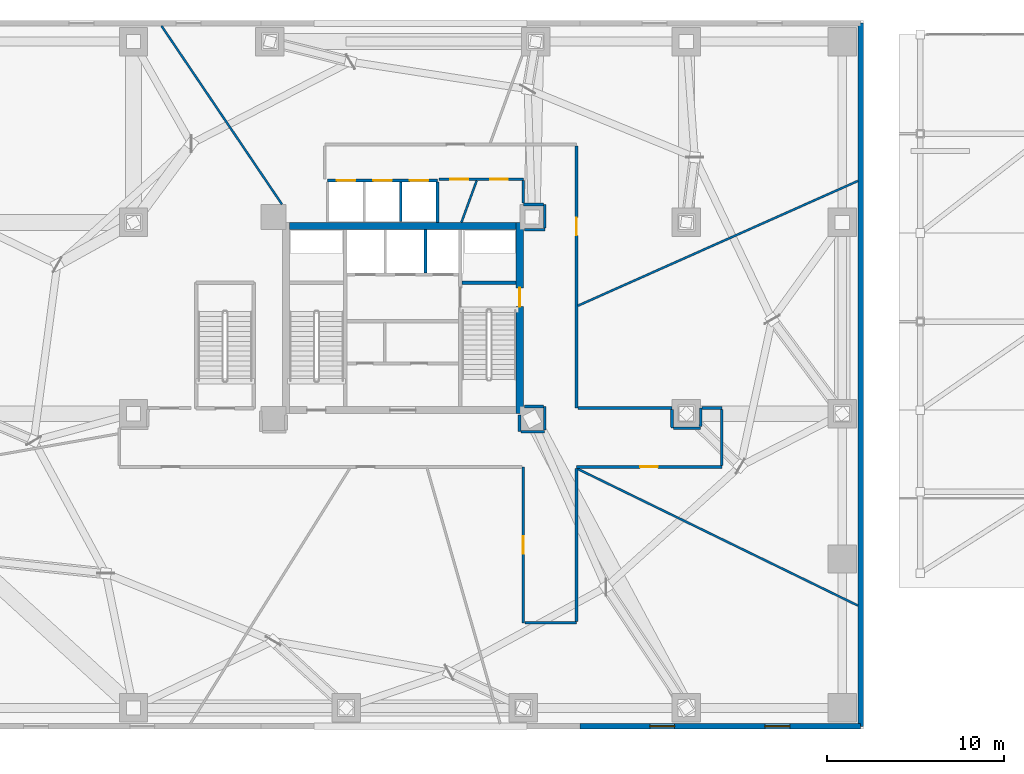
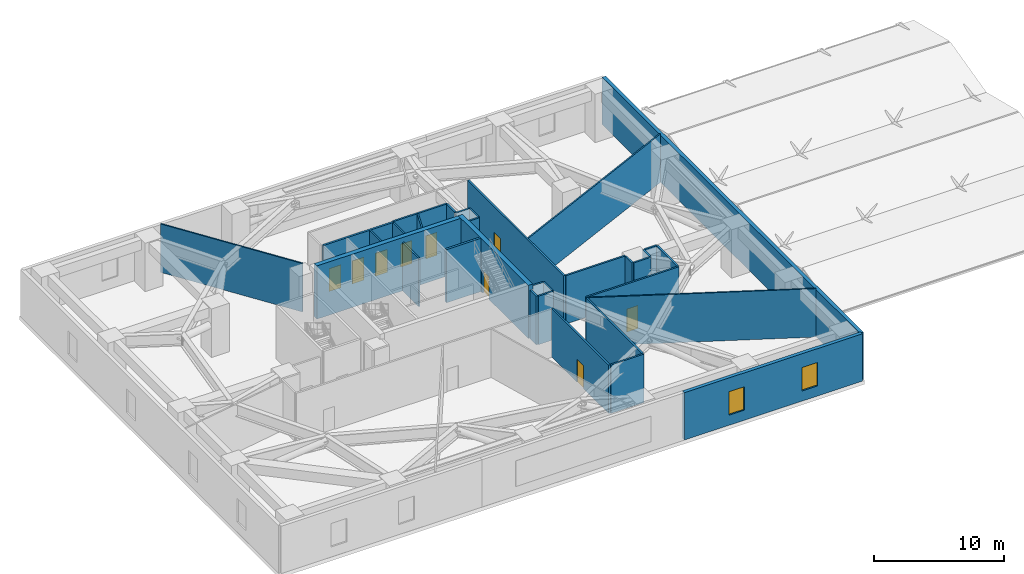
# One storey, part 10 of 13: 33 walls, 9 doors, 2 windows, 11 openings.
"""IFC4 building model written with IfcOpenShell, lengths in metres."""

from ifc_helpers import new_model, si_unit, direction, frame, frame_2d, origin, place, context, subcontext, project, spatial, rectangle, extrude, source, transform, mapped, material, layer, layer_set, type_object, type_shapes, element, fill, save


model = new_model("IFC4")

# Units and contexts
model_context = context("Model", 3, precision=1e-05, world=origin(), true_north=direction((0.0, 1.0)))
body_context = subcontext(model_context, "Body", "Model", "MODEL_VIEW")
ifc_project = project(units=[si_unit("LENGTHUNIT", "METRE"), si_unit("AREAUNIT", "SQUARE_METRE"), si_unit("VOLUMEUNIT", "CUBIC_METRE"), si_unit("PLANEANGLEUNIT", "RADIAN"), si_unit("MASSUNIT", "GRAM", prefix="KILO")], contexts=[model_context])

# Site, building, storey
site_placement = place(None, origin())
site = spatial("IfcSite", under=ifc_project, at=site_placement, CompositionType="ELEMENT")
building_placement = place(site_placement, origin())
building = spatial("IfcBuilding", under=site, at=building_placement, Name="Talar Marvaseh", CompositionType="ELEMENT")
storey_placement = place(building_placement, frame((0.0, 0.0, 19.0)))
storey = spatial("IfcBuildingStorey", under=building, at=storey_placement, Name="L04", CompositionType="ELEMENT", Elevation=19.0)

# Wall, openings, windows
ifc_material_1 = material(Name="Precast concrete C45/55", Category="concrete")
ifc_layer_1 = layer(ifc_material_1, 0.31005859375)
ifc_layer_set_1 = layer_set([ifc_layer_1], Name="Precast concrete C45/55")
wall_type_1 = type_object("IfcWallType", Name="Architectural Precast Limestone Podium Facade Wall 310", PredefinedType="SOLIDWALL", material=ifc_layer_set_1)
wall_1_placement = place(storey_placement, frame((51.840087890625, 8.159912109375, 0.0), z_axis=(0.0, 0.0, 1.0), x_axis=(-1.0, 0.0, 0.0)))
wall_1 = element("IfcWall", 1, at=wall_1_placement, inside=storey, type_object=wall_type_1, Name="L04 Podium South-East Facade Wall", PredefinedType="SOLIDWALL", context=body_context, shape_type="SweptSolid", body=[
    extrude(rectangle(XDim=15.840087890625, YDim=0.31005859375, at=frame_2d((7.919921875, 0.0))), origin(), (0.0, 0.0, 1.0), 4.449951171875),
])
opening_1_placement = place(wall_1_placement, frame((4.0, 0.0, 0.949951171875)))
opening_1 = element("IfcOpeningElement", 2, at=opening_1_placement, cuts=wall_1, Name="Opening WN-POD14", PredefinedType="OPENING", context=body_context, shape_type="SweptSolid", body=[
    extrude(rectangle(XDim=1.39990234375, YDim=2.199951171875, at=frame_2d((0.699951171875, 1.10009765625))), frame((0.0, 0.1650390625, 0.0), z_axis=(0.0, -1.0, 0.0), x_axis=(1.0, 0.0, 0.0)), (0.0, 0.0, 1.0), 0.330078125),
])
opening_2_placement = place(wall_1_placement, frame((10.5, 0.0, 0.949951171875)))
opening_2 = element("IfcOpeningElement", 3, at=opening_2_placement, cuts=wall_1, Name="Opening WN-POD14", PredefinedType="OPENING", context=body_context, shape_type="SweptSolid", body=[
    extrude(rectangle(XDim=1.39990234375, YDim=2.199951171875, at=frame_2d((0.699951171875, 1.10009765625))), frame((0.0, 0.1650390625, 0.0), z_axis=(0.0, -1.0, 0.0), x_axis=(1.0, 0.0, 0.0)), (0.0, 0.0, 1.0), 0.330078125),
])
ifc_material_2 = material(Name="Laminated Low-E Solar Glass", Category="glass")
window_type = type_object("IfcWindowType", Name="Podium Mezzanine Solar Window 1400x2200", PartitioningType="SINGLE_PANEL", PredefinedType="WINDOW", material=ifc_material_2)
shared_shape_1 = source(origin(), body_context, "Body", "SweptSolid", [
    extrude(rectangle(XDim=1.39990234375, YDim=2.199951171875, at=frame_2d((0.699951171875, 1.10009765625))), frame((0.0, 0.030029296875, 0.0), z_axis=(0.0, -1.0, 0.0), x_axis=(1.0, 0.0, 0.0)), (0.0, 0.0, 1.0), 0.06005859375),
])
type_shapes(window_type, [shared_shape_1])
window_1_placement = place(opening_1_placement, origin())
window_1 = element("IfcWindow", 4, at=window_1_placement, inside=storey, type_object=window_type, Name="L04 Podium Solar Window", OverallHeight=2.199951171875, OverallWidth=1.39990234375, PartitioningType="SINGLE_PANEL", PredefinedType="WINDOW", context=body_context, shape_type="MappedRepresentation", body=[
    mapped(shared_shape_1, transform((0.0, 0.0, 0.0), x_axis=(1.0, 0.0, 0.0), y_axis=(0.0, 1.0, 0.0), z_axis=(0.0, 0.0, 1.0), scale=1.0)),
])
fill(opening_1, window_1)
window_2_placement = place(opening_2_placement, origin())
window_2 = element("IfcWindow", 5, at=window_2_placement, inside=storey, type_object=window_type, Name="L04 Podium Solar Window", OverallHeight=2.199951171875, OverallWidth=1.39990234375, PartitioningType="SINGLE_PANEL", PredefinedType="WINDOW", context=body_context, shape_type="MappedRepresentation", body=[
    mapped(shared_shape_1, transform((0.0, 0.0, 0.0), x_axis=(1.0, 0.0, 0.0), y_axis=(0.0, 1.0, 0.0), z_axis=(0.0, 0.0, 1.0), scale=1.0)),
])
fill(opening_2, window_2)

# Wall
wall_2_placement = place(storey_placement, frame((51.840087890625, 47.840087890625, 0.0), z_axis=(0.0, 0.0, 1.0), x_axis=(0.0, -1.0, 0.0)))
element("IfcWall", 6, at=wall_2_placement, inside=storey, type_object=wall_type_1, Name="L04 Podium East Facade Wall", PredefinedType="SOLIDWALL", context=body_context, shape_type="SweptSolid", body=[
    extrude(rectangle(XDim=39.68017578125, YDim=0.31005859375, at=frame_2d((19.840087890625, 0.0))), origin(), (0.0, 0.0, 1.0), 4.449951171875),
])

# Wall, opening, door
ifc_material_3 = material(Name="Gypsum Board Partition Assembly")
ifc_layer_2 = layer(ifc_material_3, 0.155029296875)
ifc_layer_set_2 = layer_set([ifc_layer_2], Name="Gypsum Board Partition Assembly")
wall_type_2 = type_object("IfcWallType", Name="Corridor Fire-Rated Acoustic Partition 155", PredefinedType="PARTITIONING", material=ifc_layer_set_2)
wall_3_placement = place(storey_placement, frame((32.800048828125, 14.0, 0.0), z_axis=(0.0, 0.0, 1.0), x_axis=(0.0, 1.0, 0.0)))
wall_3 = element("IfcWall", 7, at=wall_3_placement, inside=storey, type_object=wall_type_2, Name="L04 Interior Partition Wall", PredefinedType="PARTITIONING", context=body_context, shape_type="SweptSolid", body=[
    extrude(rectangle(XDim=8.800048828125, YDim=0.155029296875, at=frame_2d((4.39990234375, 0.0))), origin(), (0.0, 0.0, 1.0), 4.550048828125),
])
opening_3_placement = place(wall_3_placement, frame((3.89990234375, 0.0, 0.0)))
opening_3 = element("IfcOpeningElement", 8, at=opening_3_placement, cuts=wall_3, Name="Opening DR-RM100", PredefinedType="OPENING", context=body_context, shape_type="SweptSolid", body=[
    extrude(rectangle(XDim=1.0, YDim=2.14990234375, at=frame_2d((0.5, 1.074951171875))), frame((0.0, 0.08740234375, 0.0), z_axis=(0.0, -1.0, 0.0), x_axis=(1.0, 0.0, 0.0)), (0.0, 0.0, 1.0), 0.175048828125),
])
ifc_material_4 = material(Name="Acoustic Engineered Oak Timber", Category="wood")
door_type_1 = type_object("IfcDoorType", Name="Corridor Fire-Rated Gallery Door 1000x2150", OperationType="NOTDEFINED", PredefinedType="DOOR", material=ifc_material_4)
shared_shape_2 = source(origin(), body_context, "Body", "SweptSolid", [
    extrude(rectangle(XDim=1.0, YDim=2.14990234375, at=frame_2d((0.5, 1.074951171875))), frame((0.0, 0.02490234375, 0.0), z_axis=(0.0, -1.0, 0.0), x_axis=(1.0, 0.0, 0.0)), (0.0, 0.0, 1.0), 0.050048828125),
])
type_shapes(door_type_1, [shared_shape_2])
door_1_placement = place(opening_3_placement, origin())
door_1 = element("IfcDoor", 9, at=door_1_placement, inside=storey, type_object=door_type_1, Name="L04 Podium Chiller Booster Plant Room Door", OperationType="SINGLE_SWING_LEFT", OverallHeight=2.14990234375, OverallWidth=1.0, PredefinedType="DOOR", context=body_context, shape_type="MappedRepresentation", body=[
    mapped(shared_shape_2, transform((0.0, 0.0, 0.0), x_axis=(1.0, 0.0, 0.0), y_axis=(0.0, 1.0, 0.0), z_axis=(0.0, 0.0, 1.0), scale=1.0)),
])
fill(opening_3, door_1)

# Wall, openings, doors
wall_4_placement = place(storey_placement, frame((32.800048828125, 39.0400390625, 0.0), z_axis=(0.0, 0.0, 1.0), x_axis=(-1.0, 0.0, 0.0)))
wall_4 = element("IfcWall", 10, at=wall_4_placement, inside=storey, type_object=wall_type_2, Name="L04 Interior Partition Wall", PredefinedType="PARTITIONING", context=body_context, shape_type="SweptSolid", body=[
    extrude(rectangle(XDim=4.77001953125, YDim=0.155029296875, at=frame_2d((2.385009765625, 0.0))), origin(), (0.0, 0.0, 1.0), 4.550048828125),
])
opening_4_placement = place(wall_4_placement, frame((0.87451171875, 0.0, 0.0)))
opening_4 = element("IfcOpeningElement", 11, at=opening_4_placement, cuts=wall_4, Name="Opening DR-RM100", PredefinedType="OPENING", context=body_context, shape_type="SweptSolid", body=[
    extrude(rectangle(XDim=1.0, YDim=2.14990234375, at=frame_2d((0.5, 1.074951171875))), frame((0.0, 0.08740234375, 0.0), z_axis=(0.0, -1.0, 0.0), x_axis=(1.0, 0.0, 0.0)), (0.0, 0.0, 1.0), 0.175048828125),
])
opening_5_placement = place(wall_4_placement, frame((3.114990234375, 0.0, 0.0)))
opening_5 = element("IfcOpeningElement", 12, at=opening_5_placement, cuts=wall_4, Name="Opening DR-RM100", PredefinedType="OPENING", context=body_context, shape_type="SweptSolid", body=[
    extrude(rectangle(XDim=1.0, YDim=2.14990234375, at=frame_2d((0.5, 1.074951171875))), frame((0.0, 0.08740234375, 0.0), z_axis=(0.0, -1.0, 0.0), x_axis=(1.0, 0.0, 0.0)), (0.0, 0.0, 1.0), 0.175048828125),
])
door_2_placement = place(opening_4_placement, origin())
door_2 = element("IfcDoor", 13, at=door_2_placement, inside=storey, type_object=door_type_1, Name="L04 Podium Smoke Extract Fan Plant Room Door", OperationType="SINGLE_SWING_RIGHT", OverallHeight=2.14990234375, OverallWidth=1.0, PredefinedType="DOOR", context=body_context, shape_type="MappedRepresentation", body=[
    mapped(shared_shape_2, transform((0.0, 0.0, 0.0), x_axis=(1.0, 0.0, 0.0), y_axis=(0.0, 1.0, 0.0), z_axis=(0.0, 0.0, 1.0), scale=1.0)),
])
fill(opening_4, door_2)
door_3_placement = place(opening_5_placement, origin())
door_3 = element("IfcDoor", 14, at=door_3_placement, inside=storey, type_object=door_type_1, Name="L04 Podium BMS Telecoms Plant Room Door", OperationType="SINGLE_SWING_LEFT", OverallHeight=2.14990234375, OverallWidth=1.0, PredefinedType="DOOR", context=body_context, shape_type="MappedRepresentation", body=[
    mapped(shared_shape_2, transform((0.0, 0.0, 0.0), x_axis=(1.0, 0.0, 0.0), y_axis=(0.0, 1.0, 0.0), z_axis=(0.0, 0.0, 1.0), scale=1.0)),
])
fill(opening_5, door_3)

# Wall, opening, door
wall_5_placement = place(storey_placement, frame((35.800048828125, 40.91650390625, 0.0), z_axis=(0.0, 0.0, 1.0), x_axis=(0.0, -1.0, 0.0)))
wall_5 = element("IfcWall", 15, at=wall_5_placement, inside=storey, type_object=wall_type_2, Name="L04 Interior Partition Wall", PredefinedType="PARTITIONING", context=body_context, shape_type="SweptSolid", body=[
    extrude(rectangle(XDim=14.79638671875, YDim=0.155029296875, at=frame_2d((7.398193359375, 0.0))), origin(), (0.0, 0.0, 1.0), 4.550048828125),
])
opening_6_placement = place(wall_5_placement, frame((4.0546875, 0.0, 0.0)))
opening_6 = element("IfcOpeningElement", 16, at=opening_6_placement, cuts=wall_5, Name="Opening DR-RM100", PredefinedType="OPENING", context=body_context, shape_type="SweptSolid", body=[
    extrude(rectangle(XDim=1.0, YDim=2.14990234375, at=frame_2d((0.5, 1.074951171875))), frame((0.0, 0.08740234375, 0.0), z_axis=(0.0, -1.0, 0.0), x_axis=(1.0, 0.0, 0.0)), (0.0, 0.0, 1.0), 0.175048828125),
])
door_4_placement = place(opening_6_placement, origin())
door_4 = element("IfcDoor", 17, at=door_4_placement, inside=storey, type_object=door_type_1, Name="L04 Podium Area of Refuge West Door", OperationType="SINGLE_SWING_LEFT", OverallHeight=2.14990234375, OverallWidth=1.0, PredefinedType="DOOR", context=body_context, shape_type="MappedRepresentation", body=[
    mapped(shared_shape_2, transform((0.0, 0.0, 0.0), x_axis=(1.0, 0.0, 0.0), y_axis=(0.0, 1.0, 0.0), z_axis=(0.0, 0.0, 1.0), scale=1.0)),
])
fill(opening_6, door_4)

wall_6_placement = place(storey_placement, frame((44.0, 22.800048828125, 0.0), z_axis=(0.0, 0.0, 1.0), x_axis=(-1.0, 0.0, 0.0)))
wall_6 = element("IfcWall", 18, at=wall_6_placement, inside=storey, type_object=wall_type_2, Name="L04 Interior Partition Wall", PredefinedType="PARTITIONING", context=body_context, shape_type="SweptSolid", body=[
    extrude(rectangle(XDim=8.199951171875, YDim=0.155029296875, at=frame_2d((4.10009765625, 0.0))), origin(), (0.0, 0.0, 1.0), 4.550048828125),
])
opening_7_placement = place(wall_6_placement, frame((3.60009765625, 0.0, 0.0)))
opening_7 = element("IfcOpeningElement", 19, at=opening_7_placement, cuts=wall_6, Name="Opening DR-RM100", PredefinedType="OPENING", context=body_context, shape_type="SweptSolid", body=[
    extrude(rectangle(XDim=1.0, YDim=2.14990234375, at=frame_2d((0.5, 1.074951171875))), frame((0.0, 0.08740234375, 0.0), z_axis=(0.0, -1.0, 0.0), x_axis=(1.0, 0.0, 0.0)), (0.0, 0.0, 1.0), 0.175048828125),
])
door_5_placement = place(opening_7_placement, origin())
door_5 = element("IfcDoor", 20, at=door_5_placement, inside=storey, type_object=door_type_1, Name="L04 Podium HV Electrical Switchroom Door", OperationType="SINGLE_SWING_RIGHT", OverallHeight=2.14990234375, OverallWidth=1.0, PredefinedType="DOOR", context=body_context, shape_type="MappedRepresentation", body=[
    mapped(shared_shape_2, transform((0.0, 0.0, 0.0), x_axis=(1.0, 0.0, 0.0), y_axis=(0.0, 1.0, 0.0), z_axis=(0.0, 0.0, 1.0), scale=1.0)),
])
fill(opening_7, door_5)

# Walls
wall_7_placement = place(storey_placement, frame((35.800048828125, 14.0, 0.0), z_axis=(0.0, 0.0, 1.0), x_axis=(-1.0, 0.0, 0.0)))
element("IfcWall", 21, at=wall_7_placement, inside=storey, type_object=wall_type_2, Name="L04 Interior Partition Wall", PredefinedType="PARTITIONING", context=body_context, shape_type="SweptSolid", body=[
    extrude(rectangle(XDim=2.91650390625, YDim=0.155029296875, at=frame_2d((1.458251953125, 0.0))), origin(), (0.0, 0.0, 1.0), 4.550048828125),
])
wall_8_placement = place(storey_placement, frame((32.5849609375, 25.72998046875, 0.0), z_axis=(0.0, 0.0, 1.0), x_axis=(0.007253695172, -0.999973691607, 0.0)))
element("IfcWall", 22, at=wall_8_placement, inside=storey, type_object=wall_type_2, Name="L04 Interior Partition Wall", PredefinedType="PARTITIONING", context=body_context, shape_type="SweptSolid", body=[
    extrude(rectangle(XDim=0.9423828125, YDim=0.155029296875, at=frame_2d((0.47119140625, 0.0))), origin(), (0.0, 0.0, 1.0), 4.550048828125),
])
wall_9_placement = place(storey_placement, frame((32.67529296875, 24.78759765625, 0.0), z_axis=(0.0, 0.0, 1.0), x_axis=(1.0, 0.0, 0.0)))
element("IfcWall", 23, at=wall_9_placement, inside=storey, type_object=wall_type_2, Name="L04 Interior Partition Wall", PredefinedType="PARTITIONING", context=body_context, shape_type="SweptSolid", body=[
    extrude(rectangle(XDim=1.3330078125, YDim=0.155029296875, at=frame_2d((0.66650390625, 0.0))), origin(), (0.0, 0.0, 1.0), 4.550048828125),
])
wall_10_placement = place(storey_placement, frame((34.008544921875, 24.87109375, 0.0), z_axis=(0.0, 0.0, 1.0), x_axis=(0.002371390632, 0.999997188249, 0.0)))
element("IfcWall", 24, at=wall_10_placement, inside=storey, type_object=wall_type_2, Name="L04 Interior Partition Wall", PredefinedType="PARTITIONING", context=body_context, shape_type="SweptSolid", body=[
    extrude(rectangle(XDim=1.33837890625, YDim=0.155029296875, at=frame_2d((0.669189453125, 0.0))), origin(), (0.0, 0.0, 1.0), 4.550048828125),
])
wall_11_placement = place(storey_placement, frame((33.927978515625, 26.2099609375, 0.0), z_axis=(0.0, 0.0, 1.0), x_axis=(-0.999988255797, 0.004846469737, 0.0)))
element("IfcWall", 25, at=wall_11_placement, inside=storey, type_object=wall_type_2, Name="L04 Interior Partition Wall", PredefinedType="PARTITIONING", context=body_context, shape_type="SweptSolid", body=[
    extrude(rectangle(XDim=1.057861328125, YDim=0.155029296875, at=frame_2d((0.52880859375, 0.0))), origin(), (0.0, 0.0, 1.0), 4.550048828125),
])
wall_12_placement = place(storey_placement, frame((32.8701171875, 36.18505859375, 0.0), z_axis=(0.0, 0.0, 1.0), x_axis=(0.999988932255, 0.00470482389, 0.0)))
element("IfcWall", 26, at=wall_12_placement, inside=storey, type_object=wall_type_2, Name="L04 Interior Partition Wall", PredefinedType="PARTITIONING", context=body_context, shape_type="SweptSolid", body=[
    extrude(rectangle(XDim=1.1416015625, YDim=0.155029296875, at=frame_2d((0.57080078125, 0.0))), origin(), (0.0, 0.0, 1.0), 4.550048828125),
])
wall_13_placement = place(storey_placement, frame((34.01171875, 36.27392578125, 0.0), z_axis=(0.0, 0.0, 1.0), x_axis=(0.0, 1.0, 0.0)))
element("IfcWall", 27, at=wall_13_placement, inside=storey, type_object=wall_type_2, Name="L04 Interior Partition Wall", PredefinedType="PARTITIONING", context=body_context, shape_type="SweptSolid", body=[
    extrude(rectangle(XDim=1.335693359375, YDim=0.155029296875, at=frame_2d((0.66796875, 0.0))), origin(), (0.0, 0.0, 1.0), 4.550048828125),
])
wall_14_placement = place(storey_placement, frame((33.927978515625, 37.60986328125, 0.0), z_axis=(0.0, 0.0, 1.0), x_axis=(-0.999989669582, 0.004545407589, 0.0)))
element("IfcWall", 28, at=wall_14_placement, inside=storey, type_object=wall_type_2, Name="L04 Interior Partition Wall", PredefinedType="PARTITIONING", context=body_context, shape_type="SweptSolid", body=[
    extrude(rectangle(XDim=1.1279296875, YDim=0.155029296875, at=frame_2d((0.56396484375, 0.0))), origin(), (0.0, 0.0, 1.0), 4.550048828125),
])
wall_15_placement = place(storey_placement, frame((32.800048828125, 37.698486328125, 0.0), z_axis=(0.0, 0.0, 1.0), x_axis=(0.0, 1.0, 0.0)))
element("IfcWall", 29, at=wall_15_placement, inside=storey, type_object=wall_type_2, Name="L04 Interior Partition Wall", PredefinedType="PARTITIONING", context=body_context, shape_type="SweptSolid", body=[
    extrude(rectangle(XDim=1.258056640625, YDim=0.155029296875, at=frame_2d((0.62890625, 0.0))), origin(), (0.0, 0.0, 1.0), 4.550048828125),
])
wall_16_placement = place(storey_placement, frame((35.883544921875, 26.1201171875, 0.0), z_axis=(0.0, 0.0, 1.0), x_axis=(1.0, 0.0, 0.0)))
element("IfcWall", 30, at=wall_16_placement, inside=storey, type_object=wall_type_2, Name="L04 Interior Partition Wall", PredefinedType="PARTITIONING", context=body_context, shape_type="SweptSolid", body=[
    extrude(rectangle(XDim=5.301513671875, YDim=0.155029296875, at=frame_2d((2.65087890625, 0.0))), origin(), (0.0, 0.0, 1.0), 4.550048828125),
])
wall_17_placement = place(storey_placement, frame((41.18603515625, 26.03662109375, 0.0), z_axis=(0.0, 0.0, 1.0), x_axis=(0.013233110982, -0.999912438553, 0.0)))
element("IfcWall", 31, at=wall_17_placement, inside=storey, type_object=wall_type_2, Name="L04 Interior Partition Wall", PredefinedType="PARTITIONING", context=body_context, shape_type="SweptSolid", body=[
    extrude(rectangle(XDim=1.051513671875, YDim=0.155029296875, at=frame_2d((0.52587890625, 0.0))), origin(), (0.0, 0.0, 1.0), 4.550048828125),
])
wall_18_placement = place(storey_placement, frame((41.283447265625, 24.985107421875, 0.0), z_axis=(0.0, 0.0, 1.0), x_axis=(0.999999794213, 0.000641539563, 0.0)))
element("IfcWall", 32, at=wall_18_placement, inside=storey, type_object=wall_type_2, Name="L04 Interior Partition Wall", PredefinedType="PARTITIONING", context=body_context, shape_type="SweptSolid", body=[
    extrude(rectangle(XDim=1.522216796875, YDim=0.155029296875, at=frame_2d((0.76123046875, 0.0))), origin(), (0.0, 0.0, 1.0), 4.550048828125),
])
wall_19_placement = place(storey_placement, frame((42.806396484375, 25.069580078125, 0.0), z_axis=(0.0, 0.0, 1.0), x_axis=(0.008133591044, 0.999966921801, 0.0)))
element("IfcWall", 33, at=wall_19_placement, inside=storey, type_object=wall_type_2, Name="L04 Interior Partition Wall", PredefinedType="PARTITIONING", context=body_context, shape_type="SweptSolid", body=[
    extrude(rectangle(XDim=1.050537109375, YDim=0.155029296875, at=frame_2d((0.525390625, 0.0))), origin(), (0.0, 0.0, 1.0), 4.550048828125),
])
wall_20_placement = place(storey_placement, frame((42.8984375, 26.1201171875, 0.0), z_axis=(0.0, 0.0, 1.0), x_axis=(1.0, 0.0, 0.0)))
element("IfcWall", 34, at=wall_20_placement, inside=storey, type_object=wall_type_2, Name="L04 Interior Partition Wall", PredefinedType="PARTITIONING", context=body_context, shape_type="SweptSolid", body=[
    extrude(rectangle(XDim=1.1015625, YDim=0.155029296875, at=frame_2d((0.55078125, 0.0))), origin(), (0.0, 0.0, 1.0), 4.550048828125),
])
wall_21_placement = place(storey_placement, frame((44.0, 26.03662109375, 0.0), z_axis=(0.0, 0.0, 1.0), x_axis=(0.0, -1.0, 0.0)))
element("IfcWall", 35, at=wall_21_placement, inside=storey, type_object=wall_type_2, Name="L04 Interior Partition Wall", PredefinedType="PARTITIONING", context=body_context, shape_type="SweptSolid", body=[
    extrude(rectangle(XDim=3.153076171875, YDim=0.155029296875, at=frame_2d((1.57666015625, 0.0))), origin(), (0.0, 0.0, 1.0), 4.550048828125),
])
wall_22_placement = place(storey_placement, frame((35.800048828125, 22.716552734375, 0.0), z_axis=(0.0, 0.0, 1.0), x_axis=(0.0, -1.0, 0.0)))
element("IfcWall", 36, at=wall_22_placement, inside=storey, type_object=wall_type_2, Name="L04 Interior Partition Wall", PredefinedType="PARTITIONING", context=body_context, shape_type="SweptSolid", body=[
    extrude(rectangle(XDim=8.633056640625, YDim=0.155029296875, at=frame_2d((4.31640625, 0.0))), origin(), (0.0, 0.0, 1.0), 4.550048828125),
])
ifc_layer_3 = layer(ifc_material_3, 0.1201171875)
ifc_layer_set_3 = layer_set([ifc_layer_3], Name="Gypsum Board Partition Assembly")
wall_type_3 = type_object("IfcWallType", Name="Demountable Studio Room Partition 120", PredefinedType="PARTITIONING", material=ifc_layer_set_3)
wall_23_placement = place(storey_placement, frame((35.883544921875, 22.67919921875, 0.0), z_axis=(0.0, 0.0, 1.0), x_axis=(0.898795528505, -0.438368107805, 0.0)))
element("IfcWall", 37, at=wall_23_placement, inside=storey, type_object=wall_type_3, Name="L04 Interior Partition Wall", PredefinedType="PARTITIONING", context=body_context, shape_type="SweptSolid", body=[
    extrude(rectangle(XDim=17.586181640625, YDim=0.1201171875, at=frame_2d((8.79296875, 0.0))), origin(), (0.0, 0.0, 1.0), 4.550048828125),
])
wall_24_placement = place(storey_placement, frame((35.883544921875, 31.897216796875, 0.0), z_axis=(0.0, 0.0, 1.0), x_axis=(0.913432401088, 0.406990477336, 0.0)))
element("IfcWall", 38, at=wall_24_placement, inside=storey, type_object=wall_type_3, Name="L04 Interior Partition Wall", PredefinedType="PARTITIONING", context=body_context, shape_type="SweptSolid", body=[
    extrude(rectangle(XDim=17.304443359375, YDim=0.1201171875, at=frame_2d((8.65234375, 0.0))), origin(), (0.0, 0.0, 1.0), 4.550048828125),
])
wall_25_placement = place(storey_placement, frame((29.31005859375, 36.60009765625, 0.0), z_axis=(0.0, 0.0, 1.0), x_axis=(0.342618216876, 0.939474724229, 0.0)))
element("IfcWall", 39, at=wall_25_placement, inside=storey, type_object=wall_type_3, Name="L04 Interior Partition Wall", PredefinedType="PARTITIONING", context=body_context, shape_type="SweptSolid", body=[
    extrude(rectangle(XDim=2.50830078125, YDim=0.1201171875, at=frame_2d((1.254150390625, 0.0))), origin(), (0.0, 0.0, 1.0), 4.550048828125),
])
wall_26_placement = place(storey_placement, frame((19.179931640625, 37.6201171875, 0.0), z_axis=(0.0, 0.0, 1.0), x_axis=(-0.559637794354, 0.828737316121, 0.0)))
element("IfcWall", 40, at=wall_26_placement, inside=storey, type_object=wall_type_3, Name="L04 Interior Partition Wall", PredefinedType="PARTITIONING", context=body_context, shape_type="SweptSolid", body=[
    extrude(rectangle(XDim=12.15087890625, YDim=0.1201171875, at=frame_2d((6.075439453125, 0.0))), origin(), (0.0, 0.0, 1.0), 4.550048828125),
])
ifc_layer_4 = layer(ifc_material_1, 0.14501953125)
ifc_layer_set_4 = layer_set([ifc_layer_4], Name="Precast concrete C45/55")
wall_type_4 = type_object("IfcWallType", Name="Fire-Rated Lift Divider Wall 145", PredefinedType="SOLIDWALL", material=ifc_layer_set_4)
wall_27_placement = place(storey_placement, frame((27.280029296875, 33.743408203125, 0.0), z_axis=(0.0, 0.0, 1.0), x_axis=(0.0, 1.0, 0.0)))
element("IfcWall", 41, at=wall_27_placement, inside=storey, type_object=wall_type_4, Name="L04 FFL-2/SVL-1 Divider", PredefinedType="SOLIDWALL", context=body_context, shape_type="SweptSolid", body=[
    extrude(rectangle(XDim=2.45654296875, YDim=0.14501953125, at=frame_2d((1.228271484375, 0.0))), origin(), (0.0, 0.0, 1.0), 4.550048828125),
])
wall_28_placement = place(storey_placement, frame((27.9599609375, 36.60009765625, 0.0), z_axis=(0.0, 0.0, 1.0), x_axis=(0.0, 1.0, 0.0)))
element("IfcWall", 42, at=wall_28_placement, inside=storey, type_object=wall_type_4, Name="L04 Low-Rise Bank East Wall", PredefinedType="SOLIDWALL", context=body_context, shape_type="SweptSolid", body=[
    extrude(rectangle(XDim=2.266357421875, YDim=0.14501953125, at=frame_2d((1.13330078125, 0.0))), origin(), (0.0, 0.0, 1.0), 4.550048828125),
])
wall_29_placement = place(storey_placement, frame((25.889892578125, 36.659912109375, 0.0), z_axis=(0.0, 0.0, 1.0), x_axis=(0.0, 1.0, 0.0)))
element("IfcWall", 43, at=wall_29_placement, inside=storey, type_object=wall_type_4, Name="L04 PL-L2/PL-L3 Divider", PredefinedType="SOLIDWALL", context=body_context, shape_type="SweptSolid", body=[
    extrude(rectangle(XDim=2.20654296875, YDim=0.14501953125, at=frame_2d((1.103271484375, 0.0))), origin(), (0.0, 0.0, 1.0), 4.550048828125),
])

# Wall, openings, doors
ifc_layer_5 = layer(ifc_material_1, 0.175048828125)
ifc_layer_set_5 = layer_set([ifc_layer_5], Name="Precast concrete C45/55")
wall_type_5 = type_object("IfcWallType", Name="Fire-Rated Lift Hoistway Enclosure Wall 175", PredefinedType="SOLIDWALL", material=ifc_layer_set_5)
wall_30_placement = place(storey_placement, frame((21.760009765625, 38.9599609375, 0.0), z_axis=(0.0, 0.0, 1.0), x_axis=(1.0, 0.0, 0.0)))
wall_30 = element("IfcWall", 44, at=wall_30_placement, inside=storey, type_object=wall_type_5, Name="L04 Low-Rise Lift Bank Front Wall", PredefinedType="SOLIDWALL", context=body_context, shape_type="SweptSolid", body=[
    extrude(rectangle(XDim=6.199951171875, YDim=0.175048828125, at=frame_2d((3.10009765625, 0.0))), origin(), (0.0, 0.0, 1.0), 4.550048828125),
])
opening_8_placement = place(wall_30_placement, frame((0.52001953125, 0.0, 0.0)))
opening_8 = element("IfcOpeningElement", 45, at=opening_8_placement, cuts=wall_30, Name="Opening LD-PLL1", PredefinedType="OPENING", context=body_context, shape_type="SweptSolid", body=[
    extrude(rectangle(XDim=1.050048828125, YDim=2.14990234375, at=frame_2d((0.52490234375, 1.074951171875))), frame((0.0, 0.09765625, 0.0), z_axis=(0.0, -1.0, 0.0), x_axis=(1.0, 0.0, 0.0)), (0.0, 0.0, 1.0), 0.195068359375),
])
opening_9_placement = place(wall_30_placement, frame((2.580078125, 0.0, 0.0)))
opening_9 = element("IfcOpeningElement", 46, at=opening_9_placement, cuts=wall_30, Name="Opening LD-PLL2", PredefinedType="OPENING", context=body_context, shape_type="SweptSolid", body=[
    extrude(rectangle(XDim=1.050048828125, YDim=2.14990234375, at=frame_2d((0.52490234375, 1.074951171875))), frame((0.0, 0.09765625, 0.0), z_axis=(0.0, -1.0, 0.0), x_axis=(1.0, 0.0, 0.0)), (0.0, 0.0, 1.0), 0.195068359375),
])
opening_10_placement = place(wall_30_placement, frame((4.639892578125, 0.0, 0.0)))
opening_10 = element("IfcOpeningElement", 47, at=opening_10_placement, cuts=wall_30, Name="Opening LD-PLL3", PredefinedType="OPENING", context=body_context, shape_type="SweptSolid", body=[
    extrude(rectangle(XDim=1.050048828125, YDim=2.14990234375, at=frame_2d((0.52490234375, 1.074951171875))), frame((0.0, 0.09765625, 0.0), z_axis=(0.0, -1.0, 0.0), x_axis=(1.0, 0.0, 0.0)), (0.0, 0.0, 1.0), 0.195068359375),
])
ifc_material_5 = material(Name="Stainless Steel Grade 316", Category="steel")
door_type_2 = type_object("IfcDoorType", Name="Automatic Sliding Lift Landing Door 1050x2150", OperationType="NOTDEFINED", PredefinedType="DOOR", material=ifc_material_5)
shared_shape_3 = source(origin(), body_context, "Body", "SweptSolid", [
    extrude(rectangle(XDim=1.050048828125, YDim=2.14990234375, at=frame_2d((0.52490234375, 1.074951171875))), frame((0.0, 0.02490234375, 0.0), z_axis=(0.0, -1.0, 0.0), x_axis=(1.0, 0.0, 0.0)), (0.0, 0.0, 1.0), 0.050048828125),
])
type_shapes(door_type_2, [shared_shape_3])
door_6_placement = place(opening_8_placement, origin())
door_6 = element("IfcDoor", 48, at=door_6_placement, inside=storey, type_object=door_type_2, Name="L04 Lift PL-L1 Sliding Landing Door", OperationType="SLIDING_TO_LEFT", OverallHeight=2.14990234375, OverallWidth=1.050048828125, PredefinedType="DOOR", context=body_context, shape_type="MappedRepresentation", body=[
    mapped(shared_shape_3, transform((0.0, 0.0, 0.0), x_axis=(1.0, 0.0, 0.0), y_axis=(0.0, 1.0, 0.0), z_axis=(0.0, 0.0, 1.0), scale=1.0)),
])
fill(opening_8, door_6)
door_7_placement = place(opening_9_placement, origin())
door_7 = element("IfcDoor", 49, at=door_7_placement, inside=storey, type_object=door_type_2, Name="L04 Lift PL-L2 Sliding Landing Door", OperationType="SLIDING_TO_LEFT", OverallHeight=2.14990234375, OverallWidth=1.050048828125, PredefinedType="DOOR", context=body_context, shape_type="MappedRepresentation", body=[
    mapped(shared_shape_3, transform((0.0, 0.0, 0.0), x_axis=(1.0, 0.0, 0.0), y_axis=(0.0, 1.0, 0.0), z_axis=(0.0, 0.0, 1.0), scale=1.0)),
])
fill(opening_9, door_7)
door_8_placement = place(opening_10_placement, origin())
door_8 = element("IfcDoor", 50, at=door_8_placement, inside=storey, type_object=door_type_2, Name="L04 Lift PL-L3 Sliding Landing Door", OperationType="SLIDING_TO_LEFT", OverallHeight=2.14990234375, OverallWidth=1.050048828125, PredefinedType="DOOR", context=body_context, shape_type="MappedRepresentation", body=[
    mapped(shared_shape_3, transform((0.0, 0.0, 0.0), x_axis=(1.0, 0.0, 0.0), y_axis=(0.0, 1.0, 0.0), z_axis=(0.0, 0.0, 1.0), scale=1.0)),
])
fill(opening_10, door_8)

# Wall, opening, door
ifc_material_6 = material(Name="Concrete C70/85", Category="concrete")
ifc_layer_6 = layer(ifc_material_6, 0.39990234375)
ifc_layer_set_6 = layer_set([ifc_layer_6], Name="Concrete C70/85")
wall_type_6 = type_object("IfcWallType", Name="Lower Core Reinforced Concrete Shear Wall 400", PredefinedType="SHEAR", material=ifc_layer_set_6)
wall_31_placement = place(storey_placement, frame((32.60009765625, 36.60009765625, 0.0), z_axis=(0.0, 0.0, 1.0), x_axis=(0.0, -1.0, 0.0)))
wall_31 = element("IfcWall", 51, at=wall_31_placement, inside=storey, type_object=wall_type_6, Name="L04 East Core Shear Wall", PredefinedType="SHEAR", context=body_context, shape_type="SweptSolid", body=[
    extrude(rectangle(XDim=10.800048828125, YDim=0.39990234375, at=frame_2d((5.39990234375, 0.0))), origin(), (0.0, 0.0, 1.0), 5.0),
])
opening_11_placement = place(wall_31_placement, frame((3.699951171875, 0.0, 0.0)))
opening_11 = element("IfcOpeningElement", 52, at=opening_11_placement, cuts=wall_31, Name="Opening DR-ST105", PredefinedType="OPENING", context=body_context, shape_type="SweptSolid", body=[
    extrude(rectangle(XDim=1.050048828125, YDim=2.14990234375, at=frame_2d((0.52490234375, 1.074951171875))), frame((0.0, 0.2099609375, 0.0), z_axis=(0.0, -1.0, 0.0), x_axis=(1.0, 0.0, 0.0)), (0.0, 0.0, 1.0), 0.419921875),
])
ifc_material_7 = material(Name="Fire-Rated Steel Door Leaf", Category="steel")
door_type_3 = type_object("IfcDoorType", Name="Protected Exit Stair Fire Door 1050x2150", OperationType="NOTDEFINED", PredefinedType="DOOR", material=ifc_material_7)
shared_shape_4 = source(origin(), body_context, "Body", "SweptSolid", [
    extrude(rectangle(XDim=1.050048828125, YDim=2.14990234375, at=frame_2d((0.52490234375, 1.074951171875))), frame((0.0, 0.02490234375, 0.0), z_axis=(0.0, -1.0, 0.0), x_axis=(1.0, 0.0, 0.0)), (0.0, 0.0, 1.0), 0.050048828125),
])
type_shapes(door_type_3, [shared_shape_4])
door_9_placement = place(opening_11_placement, origin())
door_9 = element("IfcDoor", 53, at=door_9_placement, inside=storey, type_object=door_type_3, Name="L04 Stair ST-2 Corridor Exit Door", OperationType="SINGLE_SWING_LEFT", OverallHeight=2.14990234375, OverallWidth=1.050048828125, PredefinedType="DOOR", context=body_context, shape_type="MappedRepresentation", body=[
    mapped(shared_shape_4, transform((0.0, 0.0, 0.0), x_axis=(1.0, 0.0, 0.0), y_axis=(0.0, 1.0, 0.0), z_axis=(0.0, 0.0, 1.0), scale=1.0)),
])
fill(opening_11, door_9)

# Walls
wall_32_placement = place(storey_placement, frame((19.60009765625, 36.39990234375, 0.0), z_axis=(0.0, 0.0, 1.0), x_axis=(1.0, 0.0, 0.0)))
element("IfcWall", 54, at=wall_32_placement, inside=storey, type_object=wall_type_6, Name="L04 North Core Shear Wall", PredefinedType="SHEAR", context=body_context, shape_type="SweptSolid", body=[
    extrude(rectangle(XDim=12.7998046875, YDim=0.39990234375, at=frame_2d((6.39990234375, 0.0))), origin(), (0.0, 0.0, 1.0), 5.0),
])
ifc_material_8 = material(Name="Concrete C50/60", Category="concrete")
ifc_layer_7 = layer(ifc_material_8, 0.199951171875)
ifc_layer_set_7 = layer_set([ifc_layer_7], Name="Concrete C50/60")
wall_type_7 = type_object("IfcWallType", Name="Stair Shaft Structural Concrete Shear Wall 200", PredefinedType="SHEAR", material=ifc_layer_set_7)
wall_33_placement = place(storey_placement, frame((29.340087890625, 33.199951171875, 0.0), z_axis=(0.0, 0.0, 1.0), x_axis=(1.0, 0.0, 0.0)))
element("IfcWall", 55, at=wall_33_placement, inside=storey, type_object=wall_type_7, Name="L04 Stair ST-2 North Shear Wall", PredefinedType="SHEAR", context=body_context, shape_type="SweptSolid", body=[
    extrude(rectangle(XDim=3.059814453125, YDim=0.199951171875, at=frame_2d((1.52978515625, 0.0))), origin(), (0.0, 0.0, 1.0), 5.0),
])

save(model, "model.ifc")
